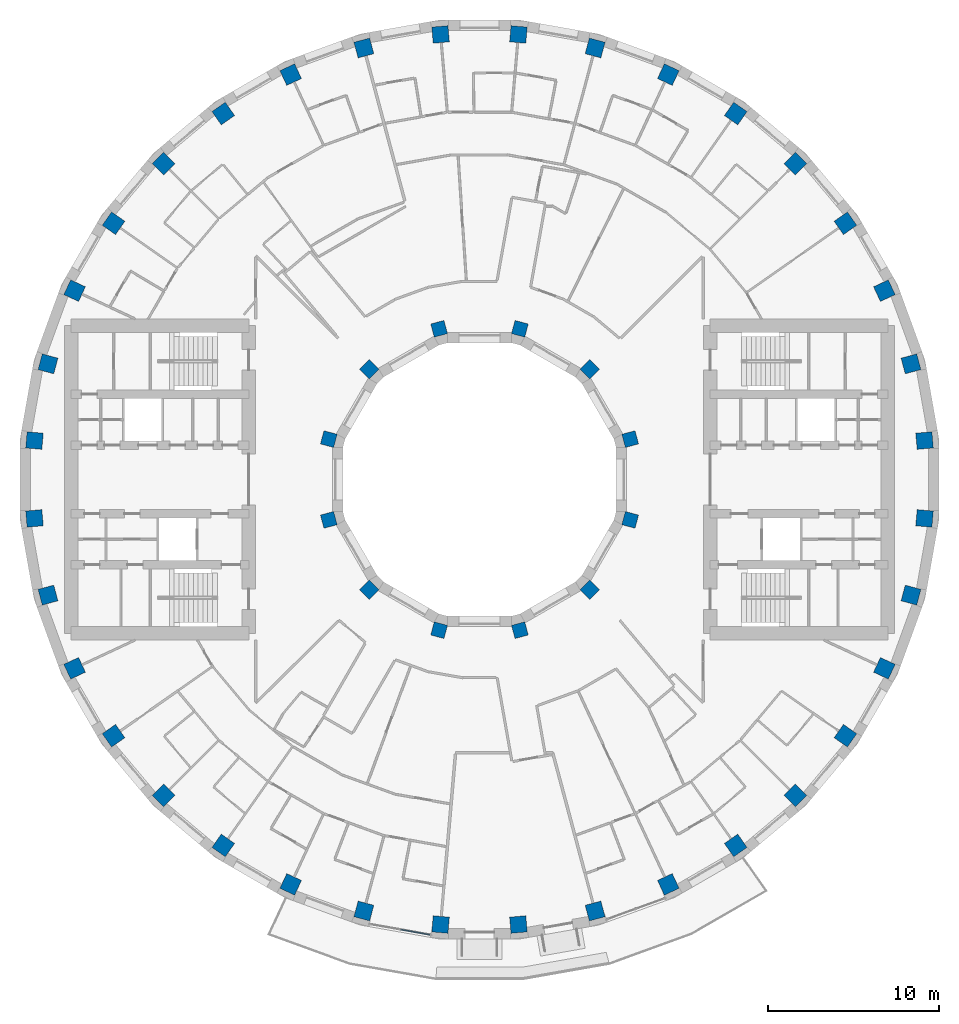
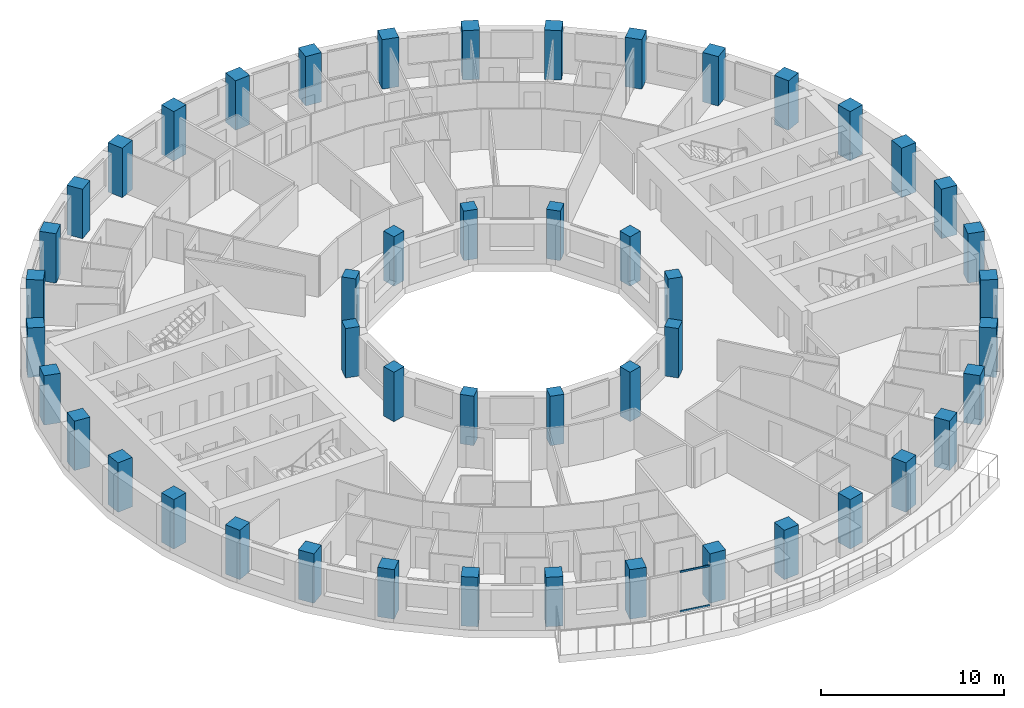
# One storey, part 1 of 16: 48 columns, 2 members, 1 element without a shape of its own.
"""IFC4 building model written with IfcOpenShell, lengths in metres."""

import ifcopenshell
import ifcopenshell.guid

model = None  # the IFC model being written
_history = None  # IfcOwnerHistory: only IFC2X3 demands one
_inside = {}  # id of a spatial element -> (the spatial element, [elements in it])
_under = {}  # id of a project, library or spatial element -> (it, [spatial elements below it])
_declared = {}  # id of a project -> (the project, [libraries it declares])
_typed = {}  # id of a type object -> (the type object, [elements of that type])
_made_of = {}  # id of a material, layer set ... -> (it, [elements and type objects made of it])


def new_model(schema):
    """Start an empty IFC model of exactly this schema.

    Asked for "IFC4X3", IfcOpenShell would pick the latest addendum, in which some entities
    have other attributes; the version numbers below select the first issue.
    IFC2X3 requires an IfcOwnerHistory on every rooted entity: one is made here for all.
    """
    global model, _history
    if schema == "IFC4X3":
        model = ifcopenshell.file(schema_version=(4, 3, 0, 0))
    else:
        model = ifcopenshell.file(schema=schema)
    _inside.clear()
    _under.clear()
    _declared.clear()
    _typed.clear()
    _made_of.clear()
    _history = None
    if model.schema == "IFC2X3":
        org = make("IfcOrganization", Name="unknown")
        user = make(
            "IfcPersonAndOrganization",
            ThePerson=make("IfcPerson", FamilyName="unknown"),
            TheOrganization=org,
        )
        app = make(
            "IfcApplication",
            ApplicationDeveloper=org,
            Version="unknown",
            ApplicationFullName="unknown",
            ApplicationIdentifier="unknown",
        )
        _history = make(
            "IfcOwnerHistory",
            OwningUser=user,
            OwningApplication=app,
            ChangeAction="ADDED",
            CreationDate=0,
        )
    return model


def make(cls, **values):
    """One entity of the class cls with the attributes given. An attribute that is None is left unset."""
    return model.create_entity(
        cls, **{name: value for name, value in values.items() if value is not None}
    )


def rooted(cls, **values):
    """An entity with a GlobalId (a new one), such as an element, a storey or a relation."""
    return make(cls, GlobalId=ifcopenshell.guid.new(), OwnerHistory=_history, **values)


def si_unit(unit_type, name, prefix=None):
    """IfcSIUnit, for example si_unit("LENGTHUNIT", "METRE", prefix="MILLI")."""
    return make("IfcSIUnit", UnitType=unit_type, Prefix=prefix, Name=name)


def assignment(units):
    """IfcUnitAssignment: the units of a project."""
    return None if units is None else make("IfcUnitAssignment", Units=units)


def point(xyz):
    """IfcCartesianPoint."""
    return None if xyz is None else make("IfcCartesianPoint", Coordinates=xyz)


def direction(xyz):
    """IfcDirection."""
    return None if xyz is None else make("IfcDirection", DirectionRatios=xyz)


def frame(location, z_axis=None, x_axis=None):
    """IfcAxis2Placement3D, a coordinate frame: its origin and axes. An axis left out is left unset."""
    return make(
        "IfcAxis2Placement3D",
        Location=point(location),
        Axis=direction(z_axis),
        RefDirection=direction(x_axis),
    )


def frame_2d(location, x_axis=None):
    """IfcAxis2Placement2D, a coordinate frame in the plane: its origin and x axis."""
    return make(
        "IfcAxis2Placement2D", Location=point(location), RefDirection=direction(x_axis)
    )


def origin():
    """The frame at (0, 0, 0) with its axes left unset."""
    return frame((0.0, 0.0, 0.0))


def origin_2d():
    """The frame at (0, 0) in the plane with its x axis left unset."""
    return frame_2d((0.0, 0.0))


def place(relative_to, where):
    """IfcLocalPlacement: puts the frame where relative to a parent placement (None: the world)."""
    return make(
        "IfcLocalPlacement", PlacementRelTo=relative_to, RelativePlacement=where
    )


def context(
    kind, dimensions, precision=None, world=None, true_north=None, identifier=None
):
    """IfcGeometricRepresentationContext, for example the 3D "Model" context."""
    return make(
        "IfcGeometricRepresentationContext",
        ContextIdentifier=identifier,
        ContextType=kind,
        CoordinateSpaceDimension=dimensions,
        Precision=precision,
        WorldCoordinateSystem=world,
        TrueNorth=true_north,
    )


def subcontext(parent, identifier, kind, view, scale=None):
    """IfcGeometricRepresentationSubContext, for example "Body" below "Model"."""
    return make(
        "IfcGeometricRepresentationSubContext",
        ContextIdentifier=identifier,
        ContextType=kind,
        ParentContext=parent,
        TargetScale=scale,
        TargetView=view,
    )


def project(units=None, contexts=None):
    """IfcProject with its units and contexts."""
    return rooted(
        "IfcProject",
        Name="project",
        RepresentationContexts=contexts,
        UnitsInContext=assignment(units),
    )


def spatial(cls, under=None, at=None, **own):
    """A site, building, storey or space (cls), placed at a placement, below another one or the project."""
    s = rooted(cls, ObjectPlacement=at, **own)
    if under is not None:
        _under.setdefault(under.id(), (under, []))[1].append(s)
    return s


def profile(cls, at=None, kind="AREA", **sizes):
    """A parametric profile (cls). Its sizes go by their IFC names, for example OverallWidth=200.0."""
    return make(cls, ProfileType=kind, Position=at, **sizes)


def rectangle(**sizes):
    """IfcRectangleProfileDef."""
    return profile("IfcRectangleProfileDef", **sizes)


def extrude(swept, where, along, depth):
    """IfcExtrudedAreaSolid: the profile swept, set in the frame where, extruded along a direction by depth."""
    return make(
        "IfcExtrudedAreaSolid",
        SweptArea=swept,
        Position=where,
        ExtrudedDirection=direction(along),
        Depth=depth,
    )


def shape(context_of_items, identifier, shape_type, items):
    """IfcShapeRepresentation: the items that make up one representation, for example the "Body"."""
    return make(
        "IfcShapeRepresentation",
        ContextOfItems=context_of_items,
        RepresentationIdentifier=identifier,
        RepresentationType=shape_type,
        Items=items,
    )


def material(Name=None, Category=None):
    """IfcMaterial."""
    return make("IfcMaterial", Name=Name, Category=Category)


def layer(
    of_material, thickness, ventilated=None, Name=None, Category=None, Priority=None
):
    """IfcMaterialLayer: one layer of a wall or slab, of a material (None: an air gap)."""
    return make(
        "IfcMaterialLayer",
        Material=of_material,
        LayerThickness=thickness,
        IsVentilated=ventilated,
        Name=Name,
        Category=Category,
        Priority=Priority,
    )


def layer_set(layers, Name=None):
    """IfcMaterialLayerSet."""
    return make("IfcMaterialLayerSet", MaterialLayers=layers, LayerSetName=Name)


def material_profile(
    of_material, cross_section, Name=None, Category=None, Priority=None
):
    """IfcMaterialProfile: a cross section and its material."""
    return make(
        "IfcMaterialProfile",
        Name=Name,
        Material=of_material,
        Profile=cross_section,
        Priority=Priority,
        Category=Category,
    )


def profile_set(profiles, Name=None, composite=None):
    """IfcMaterialProfileSet."""
    return make(
        "IfcMaterialProfileSet",
        Name=Name,
        MaterialProfiles=profiles,
        CompositeProfile=composite,
    )


def made_of(thing, what):
    """Note that an element or type object is made of a material, layer set ...; save() writes the relation."""
    if what is not None:
        _made_of.setdefault(what.id(), (what, []))[1].append(thing)
    return thing


def type_object(cls, material=None, **own):
    """A type object (cls), such as IfcWallType, which elements share."""
    return made_of(rooted(cls, **own), material)


def element(
    cls,
    number,
    at=None,
    inside=None,
    cuts=None,
    type_object=None,
    material=None,
    context=None,
    identifier="Body",
    shape_type=None,
    held_by="IfcProductDefinitionShape",
    body=None,
    shapes=None,
    **own,
):
    """One element of the class cls, such as IfcWall. Its Tag is "e" and its number.

    at: its placement. inside: the storey or other place that contains it. cuts: it is an
    opening in that element (IfcRelVoidsElement). A single representation is given by context,
    identifier, shape_type and body (its items); several are given by shapes. held_by: the class
    of the entity that holds the representations. save() writes the other relations.
    """
    e = rooted(cls, Tag="e%d" % number, ObjectPlacement=at, **own)
    if body is not None:
        shapes = [shape(context, identifier, shape_type, body)]
    if shapes is not None:
        e.Representation = make(held_by, Representations=shapes)
    if inside is not None:
        _inside.setdefault(inside.id(), (inside, []))[1].append(e)
    if cuts is not None:
        rooted(
            "IfcRelVoidsElement", RelatingBuildingElement=cuts, RelatedOpeningElement=e
        )
    if type_object is not None:
        _typed.setdefault(type_object.id(), (type_object, []))[1].append(e)
    return made_of(e, material)


def aggregate(whole, parts):
    """IfcRelAggregates: a whole, such as a stair, and the parts it consists of."""
    return rooted("IfcRelAggregates", RelatingObject=whole, RelatedObjects=parts)


def save(model, path):
    """Write the relations noted so far, then the file.

    IfcRelAggregates (storeys below a building ...), IfcRelContainedInSpatialStructure (elements
    in a storey), IfcRelDefinesByType, IfcRelAssociatesMaterial and IfcRelDeclares: one each for
    every whole, place, type object, material and project.
    """
    for whole, parts in _under.values():
        aggregate(whole, parts)
    for where, things in _inside.values():
        rooted(
            "IfcRelContainedInSpatialStructure",
            RelatedElements=things,
            RelatingStructure=where,
        )
    for kind, things in _typed.values():
        rooted("IfcRelDefinesByType", RelatedObjects=things, RelatingType=kind)
    for what, things in _made_of.values():
        rooted("IfcRelAssociatesMaterial", RelatedObjects=things, RelatingMaterial=what)
    for by, libraries in _declared.values():
        rooted("IfcRelDeclares", RelatingContext=by, RelatedDefinitions=libraries)
    model.write(path)


model = new_model("IFC4")

# Units and contexts
model_context = context("Model", 3, precision=1e-05, world=origin(), true_north=direction((0.0, 1.0)))
body_context = subcontext(model_context, "Body", "Model", "MODEL_VIEW")
ifc_project = project(units=[si_unit("LENGTHUNIT", "METRE"), si_unit("AREAUNIT", "SQUARE_METRE"), si_unit("VOLUMEUNIT", "CUBIC_METRE"), si_unit("PLANEANGLEUNIT", "RADIAN"), si_unit("MASSUNIT", "GRAM", prefix="KILO")], contexts=[model_context])

# Site, building, storey
site_placement = place(None, origin())
site = spatial("IfcSite", under=ifc_project, at=site_placement, CompositionType="ELEMENT")
building_placement = place(site_placement, origin())
building = spatial("IfcBuilding", under=site, at=building_placement, Name="Saqina Gate Tower", CompositionType="ELEMENT")
storey_placement = place(building_placement, frame((0.0, 0.0, 148.0)))
storey = spatial("IfcBuildingStorey", under=building, at=storey_placement, Name="L42", CompositionType="ELEMENT", Elevation=148.0)

# Columns
ifc_material_1 = material(Name="Concrete C70/85", Category="concrete")
ifc_material_profile_1 = material_profile(ifc_material_1, rectangle(XDim=0.800048828125, YDim=0.800048828125, at=origin_2d()), Name="RC 800x800")
ifc_profile_set_1 = profile_set([ifc_material_profile_1], Name="Concrete C70/85")
column_type_1 = type_object("IfcColumnType", Name="STR-COL-IN-B", PredefinedType="COLUMN", material=ifc_profile_set_1)
for number, where, z_axis, x_axis, name in (
    (1, (8.821044921875, 2.363525390625, 0.0), (0.0, 0.0, 1.0), (0.965925826289, 0.258819045103, 0.0), "L42-ICL01"),
    (2, (6.45751953125, 6.45751953125, 0.0), (0.0, 0.0, 1.0), (0.707106781187, 0.707106781187, 0.0), "L42-ICL02"),
    (3, (2.363525390625, 8.821044921875, 0.0), (0.0, 0.0, 1.0), (0.258819045103, 0.965925826289, 0.0), "L42-ICL03"),
    (4, (-2.363525390625, 8.821044921875, 0.0), (0.0, 0.0, 1.0), (-0.258819045103, 0.965925826289, 0.0), "L42-ICL04"),
    (5, (-6.45751953125, 6.45751953125, 0.0), (0.0, 0.0, 1.0), (-0.707106781187, 0.707106781187, 0.0), "L42-ICL05"),
    (6, (-8.821044921875, 2.363525390625, 0.0), (0.0, 0.0, 1.0), (-0.965925826289, 0.258819045103, 0.0), "L42-ICL06"),
    (7, (-8.821044921875, -2.363525390625, 0.0), (0.0, 0.0, 1.0), (-0.965925826289, -0.258819045103, 0.0), "L42-ICL07"),
    (8, (-6.45751953125, -6.45751953125, 0.0), (0.0, 0.0, 1.0), (-0.707106781187, -0.707106781187, 0.0), "L42-ICL08"),
    (9, (-2.363525390625, -8.821044921875, 0.0), (0.0, 0.0, 1.0), (-0.258819045103, -0.965925826289, 0.0), "L42-ICL09"),
    (10, (2.363525390625, -8.821044921875, 0.0), (0.0, 0.0, 1.0), (0.258819045103, -0.965925826289, 0.0), "L42-ICL10"),
    (11, (6.45751953125, -6.45751953125, 0.0), (0.0, 0.0, 1.0), (0.707106781187, -0.707106781187, 0.0), "L42-ICL11"),
    (12, (8.821044921875, -2.363525390625, 0.0), (0.0, 0.0, 1.0), (0.965925826289, -0.258819045103, 0.0), "L42-ICL12"),
):
    element("IfcColumn", number, at=place(storey_placement, frame(where, z_axis=z_axis, x_axis=x_axis)), inside=storey, type_object=column_type_1, Name=name, PredefinedType="COLUMN", context=body_context, shape_type="SweptSolid", body=[
        extrude(rectangle(XDim=0.800048828125, YDim=0.800048828125, at=origin_2d()), origin(), (0.0, 0.0, 1.0), 3.300048828125),
    ])
ifc_material_2 = material(Name="Concrete C70/85", Category="concrete")
ifc_material_profile_2 = material_profile(ifc_material_2, rectangle(XDim=0.949951171875, YDim=0.949951171875, at=origin_2d()), Name="RC 950x950")
ifc_profile_set_2 = profile_set([ifc_material_profile_2], Name="Concrete C70/85")
column_type_2 = type_object("IfcColumnType", Name="STR-COL-OUT-B", PredefinedType="COLUMN", material=ifc_profile_set_2)
for number, where, z_axis, x_axis, name in (
    (13, (26.050537109375, 2.279052734375, 0.0), (0.0, 0.0, 1.0), (0.996194698092, 0.087155742748, 0.0), "L42-COL01"),
    (14, (25.259033203125, 6.76806640625, 0.0), (0.0, 0.0, 1.0), (0.965925826289, 0.258819045103, 0.0), "L42-COL02"),
    (15, (23.699951171875, 11.051513671875, 0.0), (0.0, 0.0, 1.0), (0.906307787037, 0.422618261741, 0.0), "L42-COL03"),
    (16, (21.4208984375, 14.9990234375, 0.0), (0.0, 0.0, 1.0), (0.819152044289, 0.573576436351, 0.0), "L42-COL04"),
    (17, (18.49072265625, 18.49072265625, 0.0), (0.0, 0.0, 1.0), (0.707106781187, 0.707106781187, 0.0), "L42-COL05"),
    (18, (14.9990234375, 21.4208984375, 0.0), (0.0, 0.0, 1.0), (0.573576436351, 0.819152044289, 0.0), "L42-COL06"),
    (19, (11.051513671875, 23.699951171875, 0.0), (0.0, 0.0, 1.0), (0.422618261741, 0.906307787037, 0.0), "L42-COL07"),
    (20, (6.76806640625, 25.259033203125, 0.0), (0.0, 0.0, 1.0), (0.258819045103, 0.965925826289, 0.0), "L42-COL08"),
    (21, (2.279052734375, 26.050537109375, 0.0), (0.0, 0.0, 1.0), (0.087155742748, 0.996194698092, 0.0), "L42-COL09"),
    (22, (-2.279052734375, 26.050537109375, 0.0), (0.0, 0.0, 1.0), (-0.087155742748, 0.996194698092, 0.0), "L42-COL10"),
    (23, (-6.76806640625, 25.259033203125, 0.0), (0.0, 0.0, 1.0), (-0.258819045103, 0.965925826289, 0.0), "L42-COL11"),
    (24, (-11.051513671875, 23.699951171875, 0.0), (0.0, 0.0, 1.0), (-0.422618261741, 0.906307787037, 0.0), "L42-COL12"),
    (25, (-14.9990234375, 21.4208984375, 0.0), (0.0, 0.0, 1.0), (-0.573576436351, 0.819152044289, 0.0), "L42-COL13"),
    (26, (-18.49072265625, 18.49072265625, 0.0), (0.0, 0.0, 1.0), (-0.707106781187, 0.707106781187, 0.0), "L42-COL14"),
    (27, (-21.4208984375, 14.9990234375, 0.0), (0.0, 0.0, 1.0), (-0.819152044289, 0.573576436351, 0.0), "L42-COL15"),
    (28, (-23.699951171875, 11.051513671875, 0.0), (0.0, 0.0, 1.0), (-0.906307787037, 0.422618261741, 0.0), "L42-COL16"),
    (29, (-25.259033203125, 6.76806640625, 0.0), (0.0, 0.0, 1.0), (-0.965925826289, 0.258819045103, 0.0), "L42-COL17"),
    (30, (-26.050537109375, 2.279052734375, 0.0), (0.0, 0.0, 1.0), (-0.996194698092, 0.087155742748, 0.0), "L42-COL18"),
    (31, (-26.050537109375, -2.279052734375, 0.0), (0.0, 0.0, 1.0), (-0.996194698092, -0.087155742748, 0.0), "L42-COL19"),
    (32, (-25.259033203125, -6.76806640625, 0.0), (0.0, 0.0, 1.0), (-0.965925826289, -0.258819045103, 0.0), "L42-COL20"),
    (33, (-23.699951171875, -11.051513671875, 0.0), (0.0, 0.0, 1.0), (-0.906307787037, -0.422618261741, 0.0), "L42-COL21"),
    (34, (-21.4208984375, -14.9990234375, 0.0), (0.0, 0.0, 1.0), (-0.819152044289, -0.573576436351, 0.0), "L42-COL22"),
    (35, (-18.49072265625, -18.49072265625, 0.0), (0.0, 0.0, 1.0), (-0.707106781187, -0.707106781187, 0.0), "L42-COL23"),
    (36, (-14.9990234375, -21.4208984375, 0.0), (0.0, 0.0, 1.0), (-0.573576436351, -0.819152044289, 0.0), "L42-COL24"),
    (37, (-11.051513671875, -23.699951171875, 0.0), (0.0, 0.0, 1.0), (-0.422618261741, -0.906307787037, 0.0), "L42-COL25"),
    (38, (-6.76806640625, -25.259033203125, 0.0), (0.0, 0.0, 1.0), (-0.258819045103, -0.965925826289, 0.0), "L42-COL26"),
    (39, (-2.279052734375, -26.050537109375, 0.0), (0.0, 0.0, 1.0), (-0.087155742748, -0.996194698092, 0.0), "L42-COL27"),
    (40, (2.279052734375, -26.050537109375, 0.0), (0.0, 0.0, 1.0), (0.087155742748, -0.996194698092, 0.0), "L42-COL28"),
    (41, (6.76806640625, -25.259033203125, 0.0), (0.0, 0.0, 1.0), (0.258819045103, -0.965925826289, 0.0), "L42-COL29"),
    (42, (11.051513671875, -23.699951171875, 0.0), (0.0, 0.0, 1.0), (0.422618261741, -0.906307787037, 0.0), "L42-COL30"),
    (43, (14.9990234375, -21.4208984375, 0.0), (0.0, 0.0, 1.0), (0.573576436351, -0.819152044289, 0.0), "L42-COL31"),
    (44, (18.49072265625, -18.49072265625, 0.0), (0.0, 0.0, 1.0), (0.707106781187, -0.707106781187, 0.0), "L42-COL32"),
    (45, (21.4208984375, -14.9990234375, 0.0), (0.0, 0.0, 1.0), (0.819152044289, -0.573576436351, 0.0), "L42-COL33"),
    (46, (23.699951171875, -11.051513671875, 0.0), (0.0, 0.0, 1.0), (0.906307787037, -0.422618261741, 0.0), "L42-COL34"),
    (47, (25.259033203125, -6.76806640625, 0.0), (0.0, 0.0, 1.0), (0.965925826289, -0.258819045103, 0.0), "L42-COL35"),
    (48, (26.050537109375, -2.279052734375, 0.0), (0.0, 0.0, 1.0), (0.996194698092, -0.087155742748, 0.0), "L42-COL36"),
):
    element("IfcColumn", number, at=place(storey_placement, frame(where, z_axis=z_axis, x_axis=x_axis)), inside=storey, type_object=column_type_2, Name=name, PredefinedType="COLUMN", context=body_context, shape_type="SweptSolid", body=[
        extrude(rectangle(XDim=0.949951171875, YDim=0.949951171875, at=origin_2d()), origin(), (0.0, 0.0, 1.0), 3.300048828125),
    ])

# Curtain wall, members
ifc_material_3 = material(Name="Aluminium glazing", Category="aluminium")
ifc_layer = layer(ifc_material_3, 0.159912109375)
ifc_layer_set = layer_set([ifc_layer], Name="CWT-4")
curtain_wall_type = type_object("IfcCurtainWallType", Name="CWT-4", PredefinedType="NOTDEFINED", material=ifc_layer_set)
curtain_wall_placement = place(storey_placement, origin())
curtain_wall = element("IfcCurtainWall", 49, at=curtain_wall_placement, inside=storey, type_object=curtain_wall_type, Name="Terrace lounge glazing facet 26", PredefinedType="NOTDEFINED")
ifc_material_4 = material(Name="Aluminium", Category="aluminium")
ifc_material_profile_3 = material_profile(ifc_material_4, rectangle(XDim=0.06005859375, YDim=0.1201171875, at=origin_2d()), Name="Aluminium 60x120")
ifc_profile_set_3 = profile_set([ifc_material_profile_3], Name="Aluminium")
member_type = type_object("IfcMemberType", Name="CWT-4T", PredefinedType="USERDEFINED", material=ifc_profile_set_3)
member_1_placement = place(storey_placement, frame((-4.614990234375, -26.34619140625, 0.030029296875), z_axis=(0.98481331257, -0.173616644895, 0.0), x_axis=(0.173616644895, 0.98481331257, 0.0)))
member_1 = element("IfcMember", 50, at=member_1_placement, type_object=member_type, Name="CW4-26 transom 2.1", ObjectType="TRANSOM", PredefinedType="USERDEFINED", context=body_context, shape_type="SweptSolid", body=[
    extrude(rectangle(XDim=0.06005859375, YDim=0.1201171875, at=origin_2d()), origin(), (0.0, 0.0, 1.0), 1.73388671875),
])
member_2_placement = place(storey_placement, frame((-4.614990234375, -26.34619140625, 2.669921875), z_axis=(0.98481331257, -0.173616644895, 0.0), x_axis=(0.173616644895, 0.98481331257, 0.0)))
member_2 = element("IfcMember", 51, at=member_2_placement, type_object=member_type, Name="CW4-26 transom 2.2", ObjectType="TRANSOM", PredefinedType="USERDEFINED", context=body_context, shape_type="SweptSolid", body=[
    extrude(rectangle(XDim=0.06005859375, YDim=0.1201171875, at=origin_2d()), origin(), (0.0, 0.0, 1.0), 1.73388671875),
])
aggregate(curtain_wall, [member_1, member_2])

save(model, "model.ifc")
